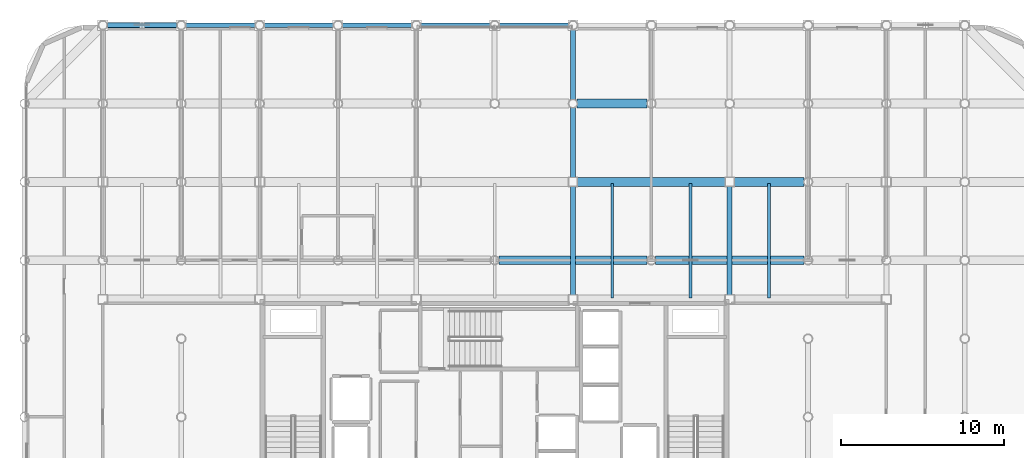
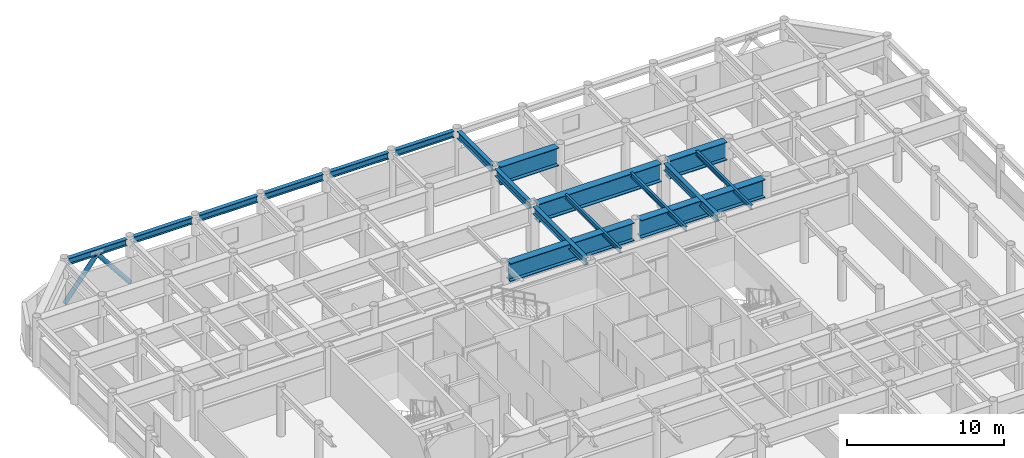
# One storey, part 15 of 26: 18 beams, 2 members.
"""IFC4 building model written with IfcOpenShell, lengths in metres."""

from ifc_helpers import new_model, si_unit, direction, frame, origin, origin_2d, place, context, subcontext, project, spatial, hollow_circle, i_section, extrude, material, material_profile, profile_set, type_object, element, save


model = new_model("IFC4")

# Units and contexts
model_context = context("Model", 3, precision=1e-05, world=origin(), true_north=direction((0.0, 1.0)))
body_context = subcontext(model_context, "Body", "Model", "MODEL_VIEW")
ifc_project = project(units=[si_unit("LENGTHUNIT", "METRE"), si_unit("AREAUNIT", "SQUARE_METRE"), si_unit("VOLUMEUNIT", "CUBIC_METRE"), si_unit("PLANEANGLEUNIT", "RADIAN"), si_unit("MASSUNIT", "GRAM", prefix="KILO")], contexts=[model_context])

# Site, building, storey
site_placement = place(None, origin())
site = spatial("IfcSite", under=ifc_project, at=site_placement, CompositionType="ELEMENT")
building_placement = place(site_placement, origin())
building = spatial("IfcBuilding", under=site, at=building_placement, Name="Kallvorn Hotel Tower", CompositionType="ELEMENT")
storey_placement = place(building_placement, frame((0.0, 0.0, 222.300048828125)))
storey = spatial("IfcBuildingStorey", under=building, at=storey_placement, Name="L55", CompositionType="ELEMENT", Elevation=222.300048828125)

# Beams
ifc_material_1 = material(Name="Structural steel S355JR", Category="steel")
ifc_material_profile_1 = material_profile(ifc_material_1, i_section(OverallWidth=0.300048828125, OverallDepth=0.5, WebThickness=0.014404296875, FlangeThickness=0.028076171875, at=origin_2d()), Name="HE 500 B")
ifc_profile_set_1 = profile_set([ifc_material_profile_1], Name="Structural steel S355JR")
beam_type_1 = type_object("IfcBeamType", Name="BM_HE500B", PredefinedType="SPANDREL", material=ifc_profile_set_1)
for number, where, z_axis, x_axis, name in (
    (1, (-23.73046875, 24.0, 3.419921875), (1.0, 0.0, 0.0), (0.0, 1.0, 0.0), "L56 Perimeter Spandrel 163"),
    (2, (-18.930419921875, 24.0, 3.419921875), (1.0, 0.0, 0.0), (0.0, 1.0, 0.0), "L56 Perimeter Spandrel 164"),
):
    element("IfcBeam", number, at=place(storey_placement, frame(where, z_axis=z_axis, x_axis=x_axis)), inside=storey, type_object=beam_type_1, Name=name, PredefinedType="SPANDREL", context=body_context, shape_type="SweptSolid", body=[
        extrude(i_section(OverallWidth=0.300048828125, OverallDepth=0.5, WebThickness=0.014404296875, FlangeThickness=0.028076171875, at=origin_2d()), origin(), (0.0, 0.0, 1.0), 4.260986328125),
    ])
beam_1_placement = place(storey_placement, frame((-14.130615234375, 24.0, 3.419921875), z_axis=(1.0, 0.0, 0.0), x_axis=(0.0, 1.0, 0.0)))
element("IfcBeam", 3, at=beam_1_placement, inside=storey, type_object=beam_type_1, Name="L56 Perimeter Spandrel 165", PredefinedType="SPANDREL", context=body_context, shape_type="SweptSolid", body=[
    extrude(i_section(OverallWidth=0.300048828125, OverallDepth=0.5, WebThickness=0.014404296875, FlangeThickness=0.028076171875, at=origin_2d()), origin(), (0.0, 0.0, 1.0), 4.26123046875),
])
for number, where, z_axis, x_axis, name in (
    (4, (-9.33056640625, 24.0, 3.419921875), (1.0, 0.0, 0.0), (0.0, 1.0, 0.0), "L56 Perimeter Spandrel 166"),
    (5, (-4.530517578125, 24.0, 3.419921875), (1.0, 0.0, 0.0), (0.0, 1.0, 0.0), "L56 Perimeter Spandrel 167"),
    (6, (0.26953125, 24.0, 3.419921875), (1.0, 0.0, 0.0), (0.0, 1.0, 0.0), "L56 Perimeter Spandrel 168"),
):
    element("IfcBeam", number, at=place(storey_placement, frame(where, z_axis=z_axis, x_axis=x_axis)), inside=storey, type_object=beam_type_1, Name=name, PredefinedType="SPANDREL", context=body_context, shape_type="SweptSolid", body=[
        extrude(i_section(OverallWidth=0.300048828125, OverallDepth=0.5, WebThickness=0.014404296875, FlangeThickness=0.028076171875, at=origin_2d()), origin(), (0.0, 0.0, 1.0), 4.260986328125),
    ])
ifc_material_2 = material(Name="Structural steel S355JR", Category="steel")
ifc_material_profile_2 = material_profile(ifc_material_2, i_section(OverallWidth=0.300048828125, OverallDepth=0.550048828125, WebThickness=0.014892578125, FlangeThickness=0.029052734375, at=origin_2d()), Name="HE 550 B")
ifc_profile_set_2 = profile_set([ifc_material_profile_2], Name="Structural steel S355JR")
beam_type_2 = type_object("IfcBeamType", Name="BM_HE550B", PredefinedType="SPANDREL", material=ifc_profile_set_2)
beam_2_placement = place(storey_placement, frame((4.800048828125, 7.47509765625, 3.39501953125), z_axis=(0.0, 1.0, 0.0), x_axis=(-1.0, 0.0, 0.0)))
element("IfcBeam", 7, at=beam_2_placement, inside=storey, type_object=beam_type_2, Name="L56 Primary Y-Girder 115", PredefinedType="SPANDREL", context=body_context, shape_type="SweptSolid", body=[
    extrude(i_section(OverallWidth=0.300048828125, OverallDepth=0.550048828125, WebThickness=0.014892578125, FlangeThickness=0.029052734375, at=origin_2d()), origin(), (0.0, 0.0, 1.0), 6.64990234375),
])
beam_3_placement = place(storey_placement, frame((4.800048828125, 14.675048828125, 3.39501953125), z_axis=(0.0, 1.0, 0.0), x_axis=(-1.0, 0.0, 0.0)))
element("IfcBeam", 8, at=beam_3_placement, inside=storey, type_object=beam_type_2, Name="L56 Primary Y-Girder 116", PredefinedType="SPANDREL", context=body_context, shape_type="SweptSolid", body=[
    extrude(i_section(OverallWidth=0.300048828125, OverallDepth=0.550048828125, WebThickness=0.014892578125, FlangeThickness=0.029052734375, at=origin_2d()), origin(), (0.0, 0.0, 1.0), 4.2705078125),
])
beam_4_placement = place(storey_placement, frame((4.800048828125, 19.45458984375, 3.39501953125), z_axis=(0.0, 1.0, 0.0), x_axis=(-1.0, 0.0, 0.0)))
element("IfcBeam", 9, at=beam_4_placement, inside=storey, type_object=beam_type_2, Name="L56 Primary Y-Girder 117", PredefinedType="SPANDREL", context=body_context, shape_type="SweptSolid", body=[
    extrude(i_section(OverallWidth=0.300048828125, OverallDepth=0.550048828125, WebThickness=0.014892578125, FlangeThickness=0.029052734375, at=origin_2d()), origin(), (0.0, 0.0, 1.0), 4.291015625),
])
beam_5_placement = place(storey_placement, frame((14.39990234375, 7.47509765625, 3.39501953125), z_axis=(0.0, 1.0, 0.0), x_axis=(-1.0, 0.0, 0.0)))
element("IfcBeam", 10, at=beam_5_placement, inside=storey, type_object=beam_type_2, Name="L56 Primary Y-Girder 123", PredefinedType="SPANDREL", context=body_context, shape_type="SweptSolid", body=[
    extrude(i_section(OverallWidth=0.300048828125, OverallDepth=0.550048828125, WebThickness=0.014892578125, FlangeThickness=0.029052734375, at=origin_2d()), origin(), (0.0, 0.0, 1.0), 6.64990234375),
])
ifc_material_3 = material(Name="Structural steel S355JR", Category="steel")
ifc_material_profile_3 = material_profile(ifc_material_3, i_section(OverallWidth=0.169921875, OverallDepth=0.360107421875, WebThickness=0.008056640625, FlangeThickness=0.0126953125, at=origin_2d()), Name="IPE 360")
ifc_profile_set_3 = profile_set([ifc_material_profile_3], Name="Structural steel S355JR")
beam_type_3 = type_object("IfcBeamType", Name="BM_IPE360", PredefinedType="JOIST", material=ifc_profile_set_3)
for number, where, z_axis, x_axis, name in (
    (11, (7.199951171875, 7.300048828125, 3.489990234375), (0.0, 1.0, 0.0), (-1.0, 0.0, 0.0), "L56 Secondary Composite Joist 203"),
    (12, (12.0, 7.300048828125, 3.489990234375), (0.0, 1.0, 0.0), (-1.0, 0.0, 0.0), "L56 Secondary Composite Joist 205"),
    (13, (16.800048828125, 7.300048828125, 3.489990234375), (0.0, 1.0, 0.0), (-1.0, 0.0, 0.0), "L56 Secondary Composite Joist 207"),
):
    element("IfcBeam", number, at=place(storey_placement, frame(where, z_axis=z_axis, x_axis=x_axis)), inside=storey, type_object=beam_type_3, Name=name, PredefinedType="JOIST", context=body_context, shape_type="SweptSolid", body=[
        extrude(i_section(OverallWidth=0.169921875, OverallDepth=0.360107421875, WebThickness=0.008056640625, FlangeThickness=0.0126953125, at=origin_2d()), origin(), (0.0, 0.0, 1.0), 7.0),
    ])
ifc_material_4 = material(Name="Structural steel S355JR", Category="steel")
ifc_material_profile_4 = material_profile(ifc_material_4, i_section(OverallWidth=0.550048828125, OverallDepth=1.39990234375, WebThickness=0.02490234375, FlangeThickness=0.044921875, at=origin_2d()), Name="PG 1400x550x25x45")
ifc_profile_set_4 = profile_set([ifc_material_profile_4], Name="Structural steel S355JR")
beam_type_4 = type_object("IfcBeamType", Name="BM_PG_1400", PredefinedType="BEAM", material=ifc_profile_set_4)
for number, where, z_axis, x_axis, name in (
    (14, (0.25439453125, 9.60009765625, 2.969970703125), (1.0, 0.0, 0.0), (0.0, 1.0, 0.0), "L56 Primary X-Girder 45"),
    (15, (9.8544921875, 9.60009765625, 2.969970703125), (1.0, 0.0, 0.0), (0.0, 1.0, 0.0), "L56 Primary X-Girder 46"),
):
    element("IfcBeam", number, at=place(storey_placement, frame(where, z_axis=z_axis, x_axis=x_axis)), inside=storey, type_object=beam_type_4, Name=name, PredefinedType="BEAM", context=body_context, shape_type="SweptSolid", body=[
        extrude(i_section(OverallWidth=0.550048828125, OverallDepth=1.39990234375, WebThickness=0.02490234375, FlangeThickness=0.044921875, at=origin_2d()), origin(), (0.0, 0.0, 1.0), 9.091064453125),
    ])
beam_6_placement = place(storey_placement, frame((5.074951171875, 14.39990234375, 2.969970703125), z_axis=(1.0, 0.0, 0.0), x_axis=(0.0, 1.0, 0.0)))
element("IfcBeam", 16, at=beam_6_placement, inside=storey, type_object=beam_type_4, Name="L56 Primary X-Girder 55", PredefinedType="BEAM", context=body_context, shape_type="SweptSolid", body=[
    extrude(i_section(OverallWidth=0.550048828125, OverallDepth=1.39990234375, WebThickness=0.02490234375, FlangeThickness=0.044921875, at=origin_2d()), origin(), (0.0, 0.0, 1.0), 9.050048828125),
])
beam_7_placement = place(storey_placement, frame((14.675048828125, 14.39990234375, 2.969970703125), z_axis=(1.0, 0.0, 0.0), x_axis=(0.0, 1.0, 0.0)))
element("IfcBeam", 17, at=beam_7_placement, inside=storey, type_object=beam_type_4, Name="L56 Primary X-Girder 56", PredefinedType="BEAM", context=body_context, shape_type="SweptSolid", body=[
    extrude(i_section(OverallWidth=0.550048828125, OverallDepth=1.39990234375, WebThickness=0.02490234375, FlangeThickness=0.044921875, at=origin_2d()), origin(), (0.0, 0.0, 1.0), 4.2705078125),
])
beam_8_placement = place(storey_placement, frame((5.054443359375, 19.199951171875, 2.969970703125), z_axis=(1.0, 0.0, 0.0), x_axis=(0.0, 1.0, 0.0)))
element("IfcBeam", 18, at=beam_8_placement, inside=storey, type_object=beam_type_4, Name="L56 Primary X-Girder 67", PredefinedType="BEAM", context=body_context, shape_type="SweptSolid", body=[
    extrude(i_section(OverallWidth=0.550048828125, OverallDepth=1.39990234375, WebThickness=0.02490234375, FlangeThickness=0.044921875, at=origin_2d()), origin(), (0.0, 0.0, 1.0), 4.291015625),
])

# Members
ifc_material_5 = material(Name="Structural steel S355J2H", Category="steel")
ifc_material_profile_5 = material_profile(ifc_material_5, hollow_circle(Radius=0.161865234375, WallThickness=0.012451171875, at=origin_2d()), Name="CHS 323.9x12.5")
ifc_profile_set_5 = profile_set([ifc_material_profile_5], Name="Structural steel S355J2H")
member_type = type_object("IfcMemberType", Name="MBR_EXO_CHS323", PredefinedType="BRACE", material=ifc_profile_set_5)
for number, where, z_axis, x_axis, name in (
    (19, (-23.987548828125, 24.0, 0.195556640625), (0.62089744796, 0.0, 0.783891803196), (0.0, 1.0, 0.0), "L55 Exoskeleton K-Brace N1A"),
    (20, (-19.21240234375, 24.0, 0.195556640625), (-0.62089744796, 0.0, 0.783891803196), (0.0, -1.0, 0.0), "L55 Exoskeleton K-Brace N1B"),
):
    element("IfcMember", number, at=place(storey_placement, frame(where, z_axis=z_axis, x_axis=x_axis)), inside=storey, type_object=member_type, Name=name, PredefinedType="BRACE", context=body_context, shape_type="SweptSolid", body=[
        extrude(hollow_circle(Radius=0.161865234375, WallThickness=0.012451171875, at=origin_2d()), origin(), (0.0, 0.0, 1.0), 3.825439453125),
    ])

save(model, "model.ifc")
